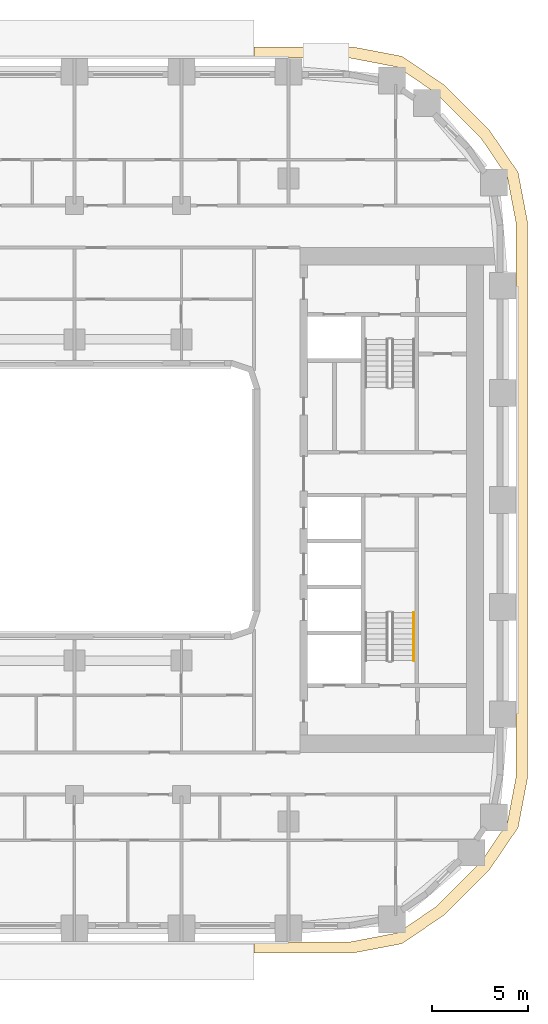
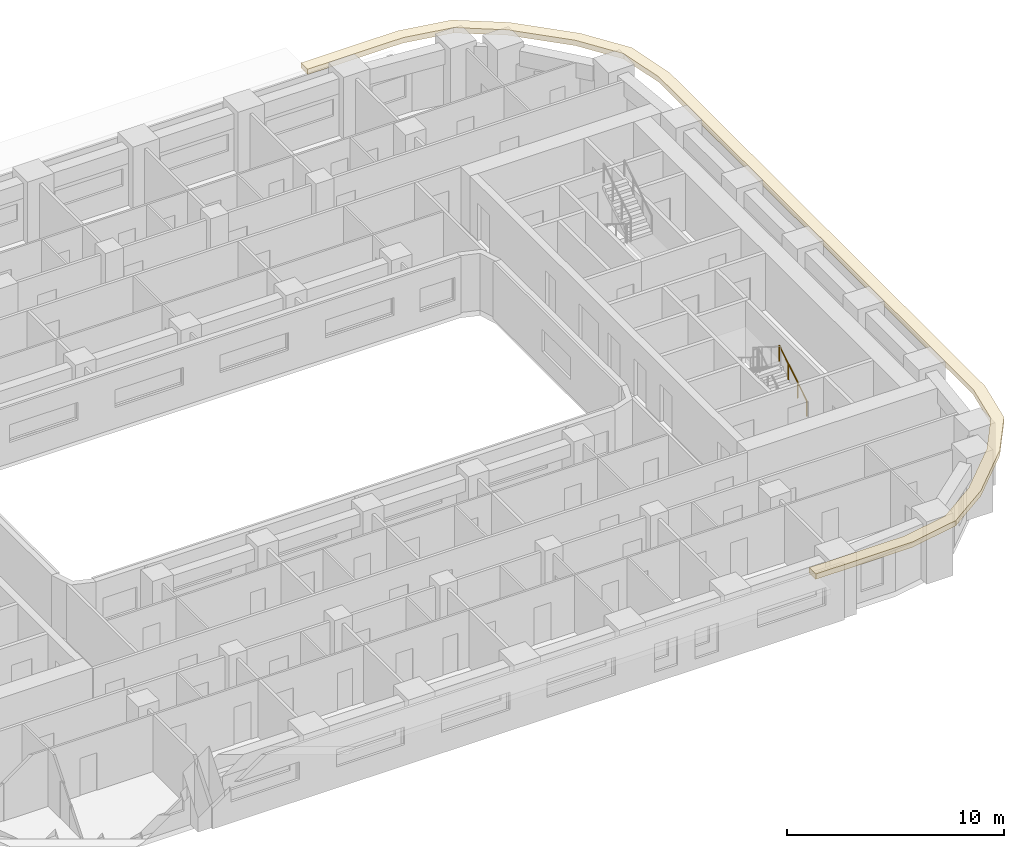
# One storey, part 18 of 22: 1 covering, 1 railing.
"""IFC4 building model written with IfcOpenShell, lengths in metres."""

from ifc_helpers import new_model, si_unit, direction, frame, origin, origin_2d, place, context, subcontext, project, spatial, polyline, circle, outline, extrude, material, layer, layer_set, type_object, element, save


model = new_model("IFC4")

# Units and contexts
model_context = context("Model", 3, precision=1e-05, world=origin(), true_north=direction((0.0, 1.0)))
body_context = subcontext(model_context, "Body", "Model", "MODEL_VIEW")
ifc_project = project(units=[si_unit("LENGTHUNIT", "METRE"), si_unit("AREAUNIT", "SQUARE_METRE"), si_unit("VOLUMEUNIT", "CUBIC_METRE"), si_unit("PLANEANGLEUNIT", "RADIAN"), si_unit("MASSUNIT", "GRAM", prefix="KILO")], contexts=[model_context])

# Site, building, storey
site_placement = place(None, origin())
site = spatial("IfcSite", under=ifc_project, at=site_placement, CompositionType="ELEMENT")
building_placement = place(site_placement, origin())
building = spatial("IfcBuilding", under=site, at=building_placement, Name="Kiln Ring Residences", CompositionType="ELEMENT")
storey_placement = place(building_placement, frame((0.0, 0.0, 62.0)))
storey = spatial("IfcBuildingStorey", under=building, at=storey_placement, Name="L15", CompositionType="ELEMENT", Elevation=62.0)

# Railing
ifc_material_1 = material(Name="Stainless steel", Category="steel")
railing_type = type_object("IfcRailingType", Name="CORE-STAIR-HANDRAIL", PredefinedType="HANDRAIL", material=ifc_material_1)
railing_placement = place(storey_placement, frame((23.35009765625, -8.39990234375, 0.175048828125)))
element("IfcRailing", 1, at=railing_placement, inside=storey, type_object=railing_type, Name="L15 E-STS stair handrail 1", PredefinedType="HANDRAIL", context=body_context, shape_type="SweptSolid", body=[
    extrude(circle(Radius=0.02392578125, at=origin_2d()), frame((0.0, 0.0, 0.8759765625), z_axis=(0.0, 0.848007534815, 0.529984170421), x_axis=(-1.0, 0.0, 0.0)), (0.0, 0.0, 1.0), 2.9716796875),
    extrude(circle(Radius=0.02099609375, at=origin_2d()), origin(), (0.0, 0.0, 1.0), 0.851806640625),
    extrude(circle(Radius=0.02099609375, at=origin_2d()), frame((0.0, 0.840087890625, 0.52490234375)), (0.0, 0.0, 1.0), 0.851806640625),
    extrude(circle(Radius=0.02099609375, at=origin_2d()), frame((0.0, 1.679931640625, 1.050048828125)), (0.0, 0.0, 1.0), 0.851806640625),
    extrude(circle(Radius=0.02099609375, at=origin_2d()), frame((0.0, 2.52001953125, 1.574951171875)), (0.0, 0.0, 1.0), 0.851806640625),
])

# Covering
ifc_material_2 = material(Name="Black powder-coated steel", Category="steel")
ifc_layer = layer(ifc_material_2, 0.300048828125)
ifc_layer_set = layer_set([ifc_layer], Name="SUNSHADE FIN 600")
covering_type = type_object("IfcCoveringType", Name="SUNSHADE FIN 600", PredefinedType="CLADDING", material=ifc_layer_set)
covering_placement = place(storey_placement, frame((0.0, 0.0, 3.199951171875)))
element("IfcCovering", 2, at=covering_placement, inside=storey, type_object=covering_type, Name="SUNSHADE FIN L15", PredefinedType="CLADDING", context=body_context, shape_type="SweptSolid", body=[
    extrude(outline(polyline([(20.122802734375, 23.699951171875), (15.0, 23.699951171875), (15.0, 23.10009765625), (20.066162109375, 23.10009765625), (22.497802734375, 22.63623046875), (24.545166015625, 21.24462890625), (26.8447265625, 18.9453125), (28.236083984375, 16.897705078125), (28.699951171875, 14.46630859375), (28.699951171875, -14.46630859375), (28.236083984375, -16.897705078125), (26.8447265625, -18.9453125), (24.545166015625, -21.24462890625), (22.497802734375, -22.63623046875), (20.066162109375, -23.10009765625), (15.0, -23.10009765625), (15.0, -23.699951171875), (20.122802734375, -23.699951171875), (22.732421875, -23.202392578125), (24.929443359375, -21.708984375), (27.30908203125, -19.329345703125), (28.80224609375, -17.13232421875), (29.300048828125, -14.52294921875), (29.300048828125, 14.52294921875), (28.80224609375, 17.13232421875), (27.30908203125, 19.329345703125), (24.929443359375, 21.708984375), (22.732421875, 23.202392578125), (20.122802734375, 23.699951171875)])), origin(), (0.0, 0.0, 1.0), 0.300048828125),
])

save(model, "model.ifc")
